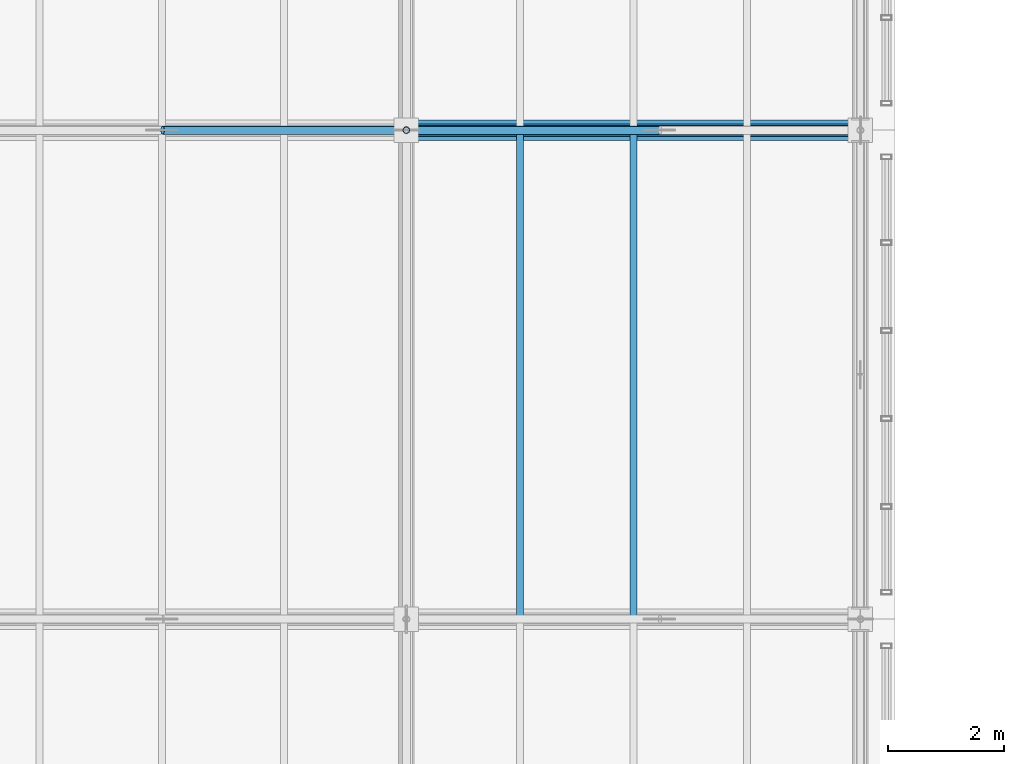
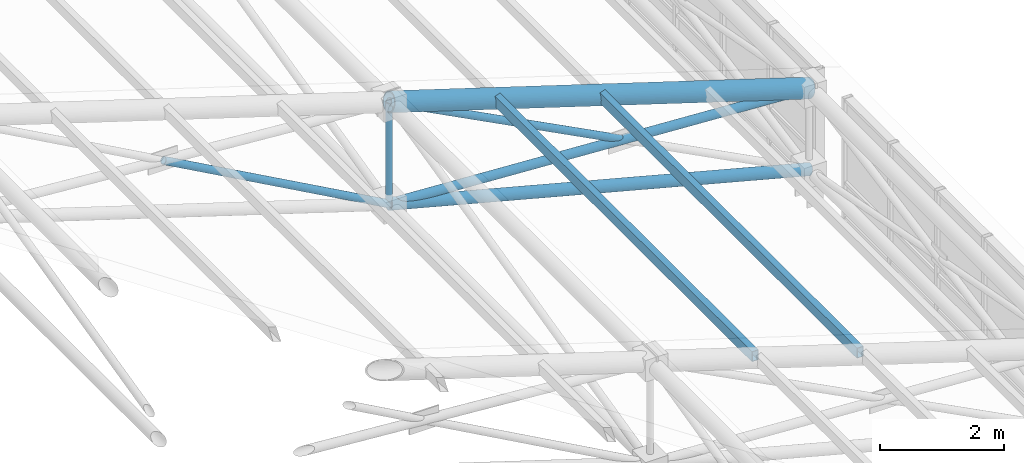
# One storey, part 90 of 144: 8 members.
"""IFC4 building model written with IfcOpenShell, lengths in metres."""

from ifc_helpers import new_model, si_unit, direction, frame, origin, origin_2d, place, context, subcontext, project, spatial, hollow_rectangle, hollow_circle, extrude, material, material_profile, profile_set, type_object, element, save


model = new_model("IFC4")

# Units and contexts
model_context = context("Model", 3, precision=1e-05, world=origin(), true_north=direction((0.0, 1.0)))
body_context = subcontext(model_context, "Body", "Model", "MODEL_VIEW")
ifc_project = project(units=[si_unit("LENGTHUNIT", "METRE"), si_unit("AREAUNIT", "SQUARE_METRE"), si_unit("VOLUMEUNIT", "CUBIC_METRE"), si_unit("PLANEANGLEUNIT", "RADIAN"), si_unit("MASSUNIT", "GRAM", prefix="KILO")], contexts=[model_context])

# Site, building, storey
site_placement = place(None, origin())
site = spatial("IfcSite", under=ifc_project, at=site_placement, CompositionType="ELEMENT")
building_placement = place(site_placement, origin())
building = spatial("IfcBuilding", under=site, at=building_placement, Name="Zayran Congress Hotel", CompositionType="ELEMENT")
storey_placement = place(building_placement, frame((0.0, 0.0, 19.199951171875)))
storey = spatial("IfcBuildingStorey", under=building, at=storey_placement, Name="L04", CompositionType="ELEMENT", Elevation=19.199951171875)

# Members
ifc_material = material(Name="Steel S355", Category="steel")
ifc_material_profile_1 = material_profile(ifc_material, hollow_circle(Radius=0.177734375, WallThickness=0.01611328125, at=origin_2d()), Name="CHS 355.6x16")
ifc_profile_set_1 = profile_set([ifc_material_profile_1], Name="Steel S355")
member_type_1 = type_object("IfcMemberType", Name="TP-SF-TC1", PredefinedType="CHORD", material=ifc_profile_set_1)
member_1_placement = place(storey_placement, frame((84.0, 92.800048828125, 4.652099609375), z_axis=(0.953669693314, 0.0, -0.300855639892), x_axis=(0.0, 1.0, 0.0)))
element("IfcMember", 1, at=member_1_placement, inside=storey, type_object=member_type_1, Name="Space Frame Top Chord X 514", PredefinedType="CHORD", context=body_context, shape_type="SweptSolid", body=[
    extrude(hollow_circle(Radius=0.177734375, WallThickness=0.01611328125, at=origin_2d()), origin(), (0.0, 0.0, 1.0), 8.178955078125),
])
ifc_material_profile_2 = material_profile(ifc_material, hollow_circle(Radius=0.109619140625, WallThickness=0.010009765625, at=origin_2d()), Name="CHS 219.1x10")
ifc_profile_set_2 = profile_set([ifc_material_profile_2], Name="Steel S355")
member_type_2 = type_object("IfcMemberType", Name="TP-SF-BC1", PredefinedType="CHORD", material=ifc_profile_set_2)
member_2_placement = place(storey_placement, frame((84.0, 92.800048828125, 2.650146484375), z_axis=(0.967153699015, 0.0, -0.254192294301), x_axis=(0.0, 1.0, 0.0)))
element("IfcMember", 2, at=member_2_placement, inside=storey, type_object=member_type_2, Name="Space Frame Bottom Chord X 515", PredefinedType="CHORD", context=body_context, shape_type="SweptSolid", body=[
    extrude(hollow_circle(Radius=0.109619140625, WallThickness=0.010009765625, at=origin_2d()), origin(), (0.0, 0.0, 1.0), 8.06494140625),
])
ifc_material_profile_3 = material_profile(ifc_material, hollow_circle(Radius=0.084228515625, WallThickness=0.008056640625, at=origin_2d()), Name="CHS 168.3x8")
ifc_profile_set_3 = profile_set([ifc_material_profile_3], Name="Steel S355")
member_type_3 = type_object("IfcMemberType", Name="TP-SF-DG1", PredefinedType="BRACE", material=ifc_profile_set_3)
member_3_placement = place(storey_placement, frame((84.0, 92.800048828125, 2.650146484375), z_axis=(0.998275019581, 0.0, -0.058711032013), x_axis=(0.0, 1.0, 0.0)))
element("IfcMember", 3, at=member_3_placement, inside=storey, type_object=member_type_3, Name="Space Frame Web Diagonal X 516", PredefinedType="BRACE", context=body_context, shape_type="SweptSolid", body=[
    extrude(hollow_circle(Radius=0.084228515625, WallThickness=0.008056640625, at=origin_2d()), origin(), (0.0, 0.0, 1.0), 7.8134765625),
])
ifc_material_profile_4 = material_profile(ifc_material, hollow_circle(Radius=0.06982421875, WallThickness=0.00634765625, at=origin_2d()), Name="CHS 139.7x6.3")
ifc_profile_set_4 = profile_set([ifc_material_profile_4], Name="Steel S355")
member_type_4 = type_object("IfcMemberType", Name="TP-SF-DG2", PredefinedType="BRACE", material=ifc_profile_set_4)
member_4_placement = place(storey_placement, frame((79.81298828125, 92.800048828125, 4.96875), z_axis=(0.874822952575, 0.0, -0.484442774379), x_axis=(0.0, 1.0, 0.0)))
element("IfcMember", 4, at=member_4_placement, inside=storey, type_object=member_type_4, Name="Space Frame Counter Diagonal X Lower 72", PredefinedType="BRACE", context=body_context, shape_type="SweptSolid", body=[
    extrude(hollow_circle(Radius=0.06982421875, WallThickness=0.00634765625, at=origin_2d()), origin(), (0.0, 0.0, 1.0), 4.7861328125),
])
member_5_placement = place(storey_placement, frame((84.0, 92.800048828125, 4.652099609375), z_axis=(0.887399308867, 0.0, -0.461001590694), x_axis=(0.0, 1.0, 0.0)))
element("IfcMember", 5, at=member_5_placement, inside=storey, type_object=member_type_4, Name="Space Frame Counter Diagonal X Upper 517", PredefinedType="BRACE", context=body_context, shape_type="SweptSolid", body=[
    extrude(hollow_circle(Radius=0.06982421875, WallThickness=0.00634765625, at=origin_2d()), origin(), (0.0, 0.0, 1.0), 4.88232421875),
])
ifc_material_profile_5 = material_profile(ifc_material, hollow_circle(Radius=0.05712890625, WallThickness=0.00634765625, at=origin_2d()), Name="CHS 114.3x6.3")
ifc_profile_set_5 = profile_set([ifc_material_profile_5], Name="Steel S355")
member_type_5 = type_object("IfcMemberType", Name="TP-SF-DG3", PredefinedType="BRACE", material=ifc_profile_set_5)
member_6_placement = place(storey_placement, frame((84.0, 92.800048828125, 2.650146484375), z_axis=(0.0, 0.0, 1.0), x_axis=(0.0, 1.0, 0.0)))
element("IfcMember", 6, at=member_6_placement, inside=storey, type_object=member_type_5, Name="Space Frame Web Strut 521", PredefinedType="BRACE", context=body_context, shape_type="SweptSolid", body=[
    extrude(hollow_circle(Radius=0.05712890625, WallThickness=0.00634765625, at=origin_2d()), origin(), (0.0, 0.0, 1.0), 2.001953125),
])
ifc_material_profile_6 = material_profile(ifc_material, hollow_rectangle(XDim=0.1201171875, YDim=0.199951171875, WallThickness=0.008056640625, at=origin_2d()), Name="RHS 200x120x8")
ifc_profile_set_6 = profile_set([ifc_material_profile_6], Name="Steel S355")
member_type_6 = type_object("IfcMemberType", Name="TP-PR-01", PredefinedType="PURLIN", material=ifc_profile_set_6)
for number, where, z_axis, x_axis, name in (
    (7, (85.949951171875, 84.39990234375, 4.078857421875), (0.0, 1.0, 0.0), (-1.0, 0.0, 0.0), "MEM-PR-V1-0165"),
    (8, (87.89990234375, 84.39990234375, 3.4638671875), (0.0, 1.0, 0.0), (-1.0, 0.0, 0.0), "MEM-PR-V1-0171"),
):
    element("IfcMember", number, at=place(storey_placement, frame(where, z_axis=z_axis, x_axis=x_axis)), inside=storey, type_object=member_type_6, Name=name, PredefinedType="PURLIN", context=body_context, shape_type="SweptSolid", body=[
        extrude(hollow_rectangle(XDim=0.1201171875, YDim=0.199951171875, WallThickness=0.008056640625, at=origin_2d()), origin(), (0.0, 0.0, 1.0), 8.400146484375),
    ])

save(model, "model.ifc")
